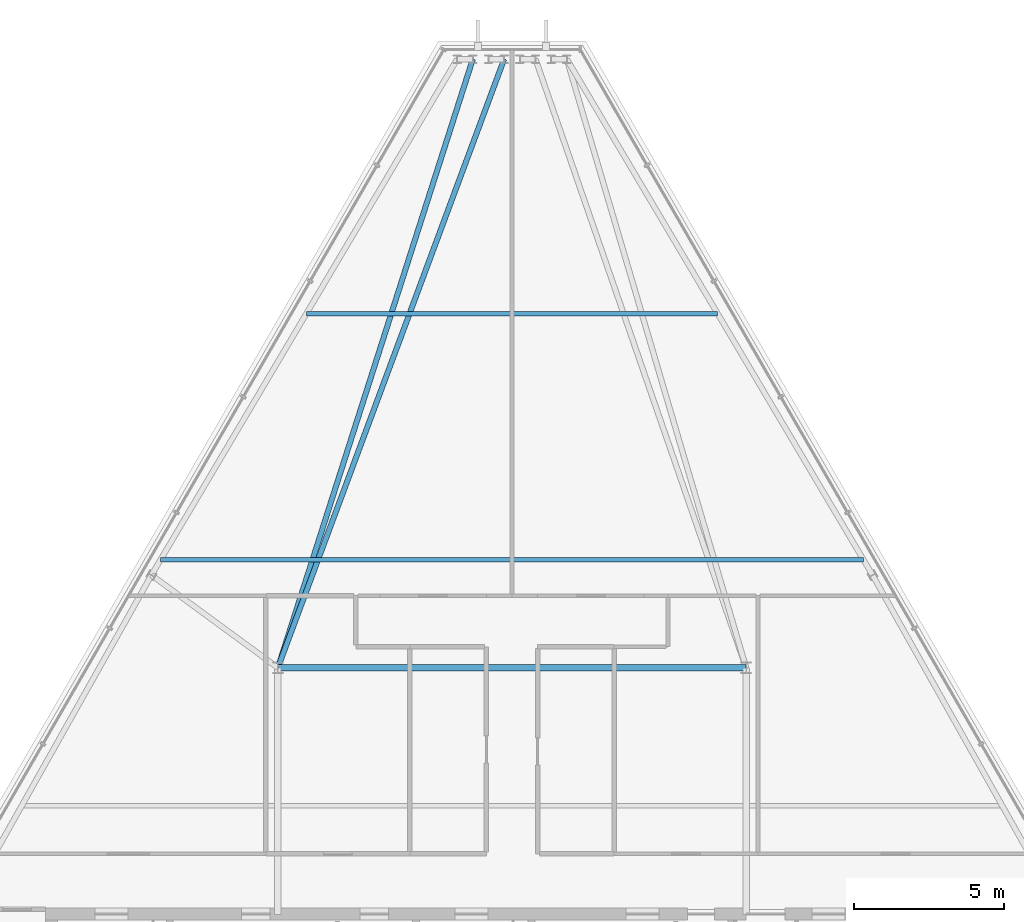
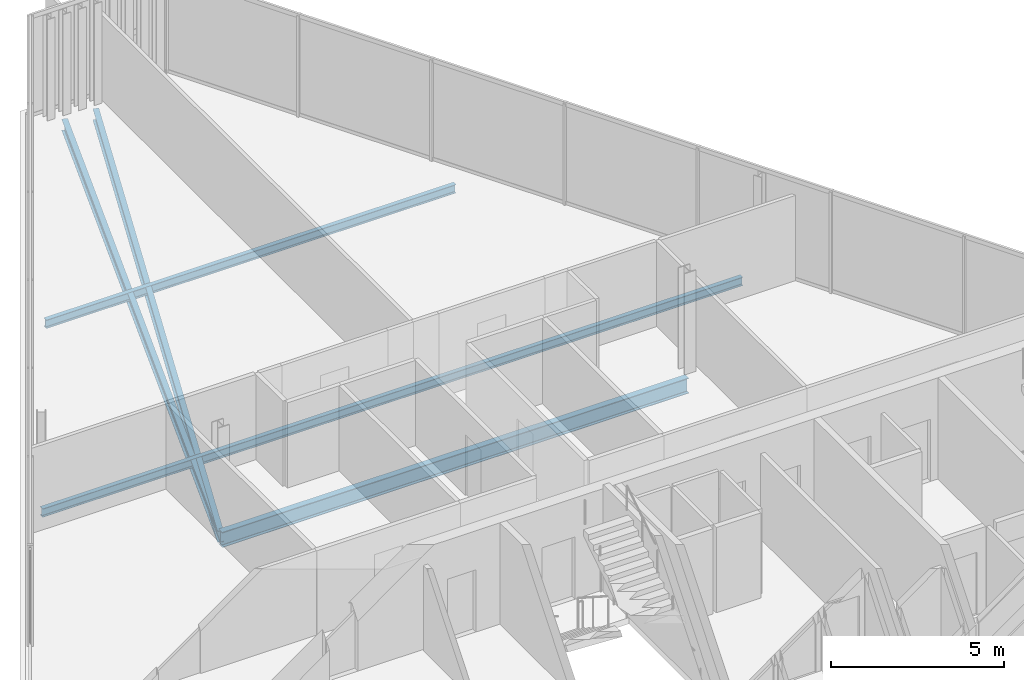
# One storey, part 16 of 32: 5 beams.
"""IFC4 building model written with IfcOpenShell, lengths in metres."""

from ifc_helpers import new_model, si_unit, direction, frame, origin, origin_2d, place, context, subcontext, project, spatial, i_section, extrude, material, material_profile, profile_set, type_object, element, save


model = new_model("IFC4")

# Units and contexts
model_context = context("Model", 3, precision=1e-05, world=origin(), true_north=direction((0.0, 1.0)))
body_context = subcontext(model_context, "Body", "Model", "MODEL_VIEW")
ifc_project = project(units=[si_unit("LENGTHUNIT", "METRE"), si_unit("AREAUNIT", "SQUARE_METRE"), si_unit("VOLUMEUNIT", "CUBIC_METRE"), si_unit("PLANEANGLEUNIT", "RADIAN"), si_unit("MASSUNIT", "GRAM", prefix="KILO")], contexts=[model_context])

# Site, building, storey
site_placement = place(None, origin())
site = spatial("IfcSite", under=ifc_project, at=site_placement, CompositionType="ELEMENT")
building_placement = place(site_placement, origin())
building = spatial("IfcBuilding", under=site, at=building_placement, Name="Ndaravel Arena Tower", CompositionType="ELEMENT")
storey_placement = place(building_placement, frame((0.0, 0.0, 283.300048828125)))
storey = spatial("IfcBuildingStorey", under=building, at=storey_placement, Name="L69", CompositionType="ELEMENT", Elevation=283.300048828125)

# Beams
ifc_material_1 = material(Name="Steel S355", Category="steel")
ifc_material_profile_1 = material_profile(ifc_material_1, i_section(OverallWidth=0.1787109375, OverallDepth=0.409423828125, WebThickness=0.0087890625, FlangeThickness=0.014404296875, FilletRadius=0.01025390625, at=origin_2d()), Name="UB 406x178x67")
ifc_profile_set_1 = profile_set([ifc_material_profile_1], Name="Steel S355")
beam_type_1 = type_object("IfcBeamType", Name="BM-GIRD-UB406", PredefinedType="BEAM", material=ifc_profile_set_1)
beam_1_placement = place(storey_placement, frame((41.739013671875, 43.477783203125, -0.4248046875), z_axis=(-0.348482886896, -0.93731514313, 0.0), x_axis=(0.93731514313, -0.348482886896, 0.0)))
element("IfcBeam", 1, at=beam_1_placement, inside=storey, type_object=beam_type_1, Name="L69 Radial Floor Girder FG-15", PredefinedType="BEAM", context=body_context, shape_type="SweptSolid", body=[
    extrude(i_section(OverallWidth=0.1787109375, OverallDepth=0.409423828125, WebThickness=0.0087890625, FlangeThickness=0.014404296875, FilletRadius=0.01025390625, at=origin_2d()), origin(), (0.0, 0.0, 1.0), 21.634033203125),
])
beam_2_placement = place(storey_placement, frame((40.6953125, 43.477783203125, -0.4248046875), z_axis=(-0.305050713345, -0.952336107836, 0.0), x_axis=(0.952336107836, -0.305050713345, 0.0)))
element("IfcBeam", 2, at=beam_2_placement, inside=storey, type_object=beam_type_1, Name="L69 Radial Floor Girder FG-17", PredefinedType="BEAM", context=body_context, shape_type="SweptSolid", body=[
    extrude(i_section(OverallWidth=0.1787109375, OverallDepth=0.409423828125, WebThickness=0.0087890625, FlangeThickness=0.014404296875, FilletRadius=0.01025390625, at=origin_2d()), origin(), (0.0, 0.0, 1.0), 21.292724609375),
])
ifc_material_2 = material(Name="Steel S355", Category="steel")
ifc_material_profile_2 = material_profile(ifc_material_2, i_section(OverallWidth=0.210693359375, OverallDepth=0.53955078125, WebThickness=0.01171875, FlangeThickness=0.018798828125, FilletRadius=0.0126953125, at=origin_2d()), Name="UB 533x210x109")
ifc_profile_set_2 = profile_set([ifc_material_profile_2], Name="Steel S355")
beam_type_2 = type_object("IfcBeamType", Name="BM-GIRD-UB533", PredefinedType="BEAM", material=ifc_profile_set_2)
beam_3_placement = place(storey_placement, frame((34.199951171875, 23.199951171875, -0.48974609375), z_axis=(1.0, 0.0, 0.0), x_axis=(0.0, 1.0, 0.0)))
element("IfcBeam", 3, at=beam_3_placement, inside=storey, type_object=beam_type_2, Name="L69 Spine Link Girder SLG-03", PredefinedType="BEAM", context=body_context, shape_type="SweptSolid", body=[
    extrude(i_section(OverallWidth=0.210693359375, OverallDepth=0.53955078125, WebThickness=0.01171875, FlangeThickness=0.018798828125, FilletRadius=0.0126953125, at=origin_2d()), origin(), (0.0, 0.0, 1.0), 15.60009765625),
])
ifc_material_3 = material(Name="Steel S355", Category="steel")
ifc_material_profile_3 = material_profile(ifc_material_3, i_section(OverallWidth=0.14990234375, OverallDepth=0.300048828125, WebThickness=0.007080078125, FlangeThickness=0.0107421875, FilletRadius=0.014892578125, at=origin_2d()), Name="IPE 300")
ifc_profile_set_3 = profile_set([ifc_material_profile_3], Name="Steel S355")
beam_type_3 = type_object("IfcBeamType", Name="BM-JOIST-IPE300", PredefinedType="JOIST", material=ifc_profile_set_3)
beam_4_placement = place(storey_placement, frame((30.291259765625, 26.800048828125, -0.3701171875), z_axis=(1.0, 0.0, 0.0), x_axis=(0.0, 1.0, 0.0)))
element("IfcBeam", 4, at=beam_4_placement, inside=storey, type_object=beam_type_3, Name="L69 Composite Floor Joist FJ-02", PredefinedType="JOIST", context=body_context, shape_type="SweptSolid", body=[
    extrude(i_section(OverallWidth=0.14990234375, OverallDepth=0.300048828125, WebThickness=0.007080078125, FlangeThickness=0.0107421875, FilletRadius=0.014892578125, at=origin_2d()), origin(), (0.0, 0.0, 1.0), 23.41748046875),
])
beam_5_placement = place(storey_placement, frame((35.14990234375, 35.0, -0.3701171875), z_axis=(1.0, 0.0, 0.0), x_axis=(0.0, 1.0, 0.0)))
element("IfcBeam", 5, at=beam_5_placement, inside=storey, type_object=beam_type_3, Name="L69 Composite Floor Joist FJ-03", PredefinedType="JOIST", context=body_context, shape_type="SweptSolid", body=[
    extrude(i_section(OverallWidth=0.14990234375, OverallDepth=0.300048828125, WebThickness=0.007080078125, FlangeThickness=0.0107421875, FilletRadius=0.014892578125, at=origin_2d()), origin(), (0.0, 0.0, 1.0), 13.7001953125),
])

save(model, "model.ifc")
